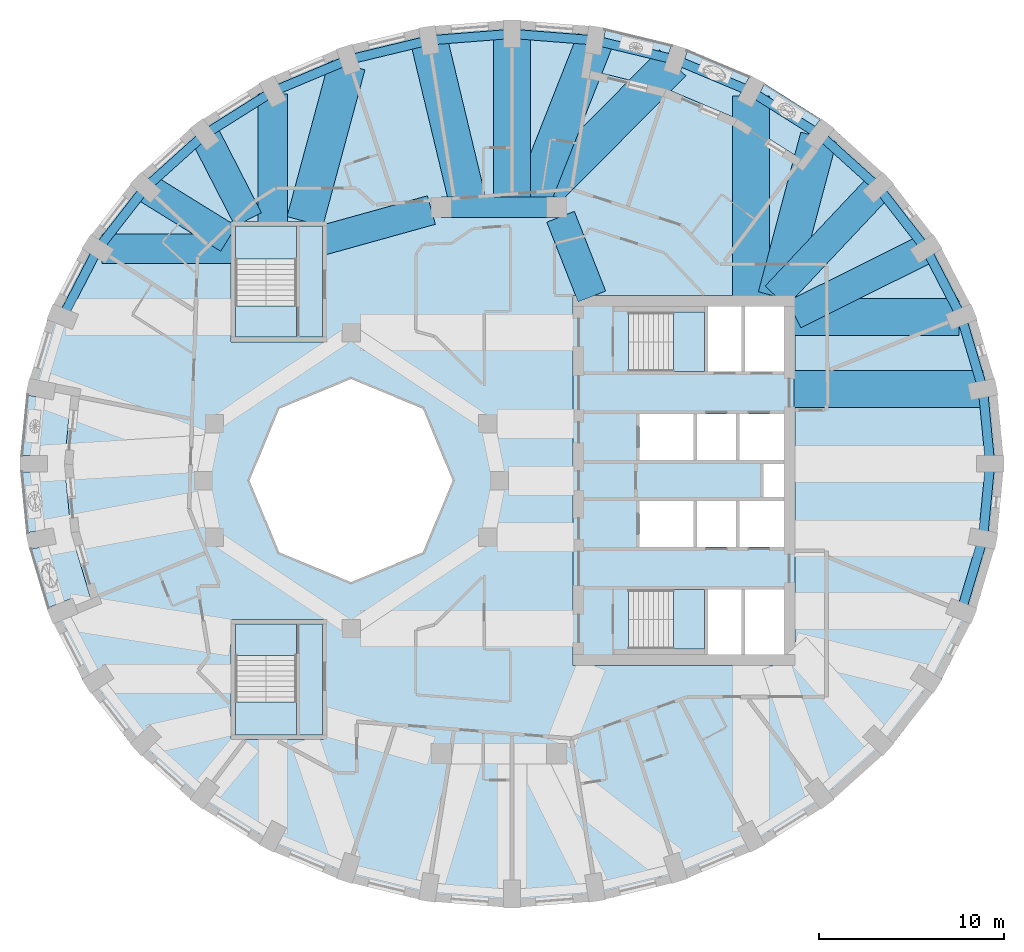
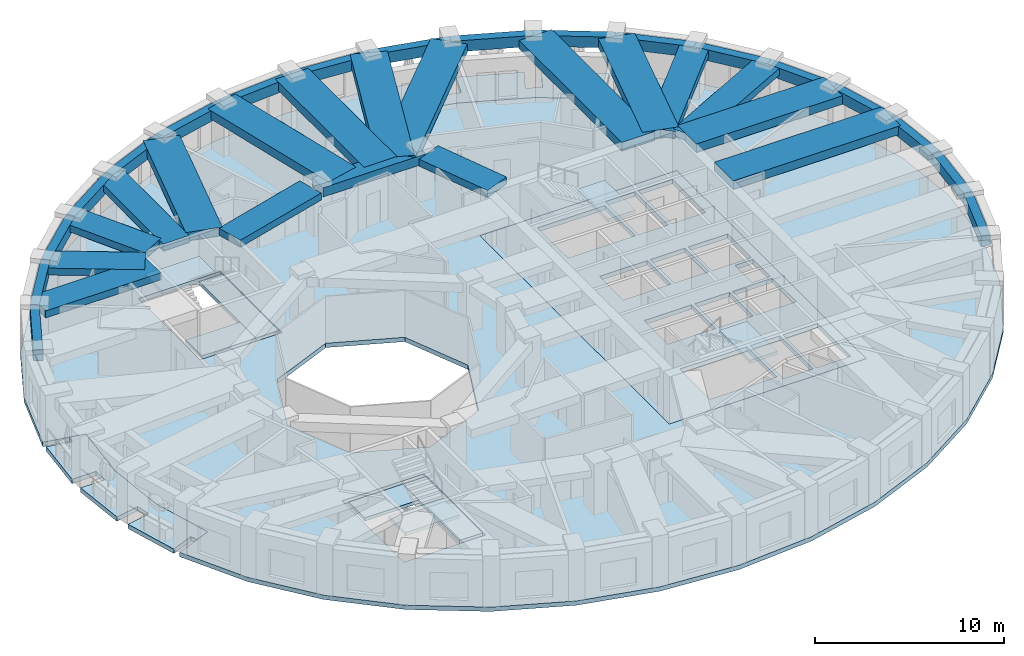
# One storey, part 2 of 12: 36 beams, 12 slabs, 4 elements without a shape of their own.
"""IFC4 building model written with IfcOpenShell, lengths in metres."""

from ifc_helpers import new_model, si_unit, direction, frame, origin, origin_2d, place, context, subcontext, project, spatial, polyline, rectangle, outline, extrude, material, layer, layer_set, material_profile, profile_set, type_object, element, aggregate, save


model = new_model("IFC4")

# Units and contexts
model_context = context("Model", 3, precision=1e-05, world=origin(), true_north=direction((0.0, 1.0)))
body_context = subcontext(model_context, "Body", "Model", "MODEL_VIEW")
ifc_project = project(units=[si_unit("LENGTHUNIT", "METRE"), si_unit("AREAUNIT", "SQUARE_METRE"), si_unit("VOLUMEUNIT", "CUBIC_METRE"), si_unit("PLANEANGLEUNIT", "RADIAN"), si_unit("MASSUNIT", "GRAM", prefix="KILO")], contexts=[model_context])

# Site, building, storey
site_placement = place(None, origin())
site = spatial("IfcSite", under=ifc_project, at=site_placement, CompositionType="ELEMENT")
building_placement = place(site_placement, origin())
building = spatial("IfcBuilding", under=site, at=building_placement, Name="Taillehof Tower", CompositionType="ELEMENT")
storey_placement = place(building_placement, frame((0.0, 0.0, 192.5)))
storey = spatial("IfcBuildingStorey", under=building, at=storey_placement, Name="L54", CompositionType="ELEMENT", Elevation=192.5)

# Beams
ifc_material_1 = material(Name="Concrete C50/60", Category="concrete")
ifc_material_profile_1 = material_profile(ifc_material_1, rectangle(XDim=1.10009765625, YDim=0.60009765625, at=origin_2d()), Name="RC 1100x600")
ifc_profile_set_1 = profile_set([ifc_material_profile_1], Name="Concrete C50/60")
beam_type_1 = type_object("IfcBeamType", Name="Mid-ring beam C50/60 1100x600", PredefinedType="BEAM", material=ifc_profile_set_1)
beam_1_placement = place(storey_placement, frame((3.125732421875, 14.772216796875, 2.719970703125), z_axis=(-1.0, 0.0, 0.0), x_axis=(0.0, -1.0, 0.0)))
element("IfcBeam", 1, at=beam_1_placement, inside=storey, type_object=beam_type_1, Name="Mid-ring beam MB01", PredefinedType="BEAM", context=body_context, shape_type="SweptSolid", body=[
    extrude(rectangle(XDim=1.10009765625, YDim=0.60009765625, at=origin_2d()), origin(), (0.0, 0.0, 1.0), 6.25146484375),
])
ifc_material_2 = material(Name="Concrete C50/60", Category="concrete")
ifc_material_profile_2 = material_profile(ifc_material_2, rectangle(XDim=1.60009765625, YDim=0.449951171875, at=origin_2d()), Name="RC 1600x450")
ifc_profile_set_2 = profile_set([ifc_material_profile_2], Name="Concrete C50/60")
beam_type_2 = type_object("IfcBeamType", Name="Radial band beam C50/60 1600x450", PredefinedType="BEAM", material=ifc_profile_set_2)
beam_2_placement = place(storey_placement, frame((23.086669921875, 12.52490234375, 2.794921875), z_axis=(-0.895357082848, -0.445348957778, 0.0), x_axis=(0.445348957778, -0.895357082848, 0.0)))
element("IfcBeam", 2, at=beam_2_placement, inside=storey, type_object=beam_type_2, Name="Radial band beam RB04", PredefinedType="BEAM", context=body_context, shape_type="SweptSolid", body=[
    extrude(rectangle(XDim=1.60009765625, YDim=0.449951171875, at=origin_2d()), origin(), (0.0, 0.0, 1.0), 7.96484375),
])
beam_3_placement = place(storey_placement, frame((20.502197265625, 15.8447265625, 2.794921875), z_axis=(-0.685451470964, -0.728118315217, 0.0), x_axis=(0.728118315217, -0.685451470964, 0.0)))
element("IfcBeam", 3, at=beam_3_placement, inside=storey, type_object=beam_type_2, Name="Radial band beam RB05", PredefinedType="BEAM", context=body_context, shape_type="SweptSolid", body=[
    extrude(rectangle(XDim=1.60009765625, YDim=0.449951171875, at=origin_2d()), origin(), (0.0, 0.0, 1.0), 8.07373046875),
])
beam_4_placement = place(storey_placement, frame((-12.22509765625, 20.9013671875, 2.794921875), z_axis=(0.0, -1.0, 0.0), x_axis=(1.0, 0.0, 0.0)))
element("IfcBeam", 4, at=beam_4_placement, inside=storey, type_object=beam_type_2, Name="Radial band beam RB13", PredefinedType="BEAM", context=body_context, shape_type="SweptSolid", body=[
    extrude(rectangle(XDim=1.60009765625, YDim=0.449951171875, at=origin_2d()), origin(), (0.0, 0.0, 1.0), 6.951416015625),
])
beam_5_placement = place(storey_placement, frame((-15.916015625, 18.71044921875, 2.794921875), z_axis=(0.456360793517, -0.889794822496, 0.0), x_axis=(0.889794822496, 0.456360793517, 0.0)))
element("IfcBeam", 5, at=beam_5_placement, inside=storey, type_object=beam_type_2, Name="Radial band beam RB14", PredefinedType="BEAM", context=body_context, shape_type="SweptSolid", body=[
    extrude(rectangle(XDim=1.60009765625, YDim=0.449951171875, at=origin_2d()), origin(), (0.0, 0.0, 1.0), 5.16455078125),
])
beam_6_placement = place(storey_placement, frame((-19.102294921875, 15.8447265625, 2.794921875), z_axis=(0.850616081395, -0.525787297366, 0.0), x_axis=(0.525787297366, 0.850616081395, 0.0)))
element("IfcBeam", 6, at=beam_6_placement, inside=storey, type_object=beam_type_2, Name="Radial band beam RB15", PredefinedType="BEAM", context=body_context, shape_type="SweptSolid", body=[
    extrude(rectangle(XDim=1.60009765625, YDim=0.449951171875, at=origin_2d()), origin(), (0.0, 0.0, 1.0), 5.260498046875),
])
beam_7_placement = place(storey_placement, frame((-21.47021484375, 12.52490234375, 2.794921875), z_axis=(1.0, 0.0, 0.0), x_axis=(0.0, 1.0, 0.0)))
element("IfcBeam", 7, at=beam_7_placement, inside=storey, type_object=beam_type_2, Name="Radial band beam RB16", PredefinedType="BEAM", context=body_context, shape_type="SweptSolid", body=[
    extrude(rectangle(XDim=1.60009765625, YDim=0.449951171875, at=origin_2d()), origin(), (0.0, 0.0, 1.0), 7.020263671875),
])
beam_8_placement = place(storey_placement, frame((3.32666015625, 14.26025390625, 2.794921875), z_axis=(0.365588707223, -0.930776502255, 0.0), x_axis=(0.930776502255, 0.365588707223, 0.0)))
element("IfcBeam", 8, at=beam_8_placement, inside=storey, type_object=beam_type_2, Name="Inner band beam IB205", PredefinedType="BEAM", context=body_context, shape_type="SweptSolid", body=[
    extrude(rectangle(XDim=1.60009765625, YDim=0.449951171875, at=origin_2d()), origin(), (0.0, 0.0, 1.0), 4.627197265625),
])
beam_9_placement = place(storey_placement, frame((-3.655517578125, 14.624755859375, 2.794921875), z_axis=(-0.963459369536, -0.267854518821, 0.0), x_axis=(0.267854518821, -0.963459369536, 0.0)))
element("IfcBeam", 9, at=beam_9_placement, inside=storey, type_object=beam_type_2, Name="Inner band beam IB206", PredefinedType="BEAM", context=body_context, shape_type="SweptSolid", body=[
    extrude(rectangle(XDim=1.60009765625, YDim=0.449951171875, at=origin_2d()), origin(), (0.0, 0.0, 1.0), 6.096923828125),
])
ifc_material_3 = material(Name="Concrete C50/60", Category="concrete")
ifc_material_profile_3 = material_profile(ifc_material_3, rectangle(XDim=2.0, YDim=0.550048828125, at=origin_2d()), Name="RC 2000x550")
ifc_profile_set_3 = profile_set([ifc_material_profile_3], Name="Concrete C50/60")
beam_type_3 = type_object("IfcBeamType", Name="Radial band beam C50/60 2000x550", PredefinedType="BEAM", material=ifc_profile_set_3)
beam_10_placement = place(storey_placement, frame((26.1572265625, 4.937255859375, 2.7451171875), z_axis=(-1.0, 0.0, 0.0), x_axis=(0.0, -1.0, 0.0)))
element("IfcBeam", 10, at=beam_10_placement, inside=storey, type_object=beam_type_3, Name="Radial band beam RB02", PredefinedType="BEAM", context=body_context, shape_type="SweptSolid", body=[
    extrude(rectangle(XDim=2.0, YDim=0.550048828125, at=origin_2d()), origin(), (0.0, 0.0, 1.0), 10.207275390625),
])
beam_11_placement = place(storey_placement, frame((24.856201171875, 8.85205078125, 2.7451171875), z_axis=(-1.0, 0.0, 0.0), x_axis=(0.0, -1.0, 0.0)))
element("IfcBeam", 11, at=beam_11_placement, inside=storey, type_object=beam_type_3, Name="Radial band beam RB03", PredefinedType="BEAM", context=body_context, shape_type="SweptSolid", body=[
    extrude(rectangle(XDim=2.0, YDim=0.550048828125, at=origin_2d()), origin(), (0.0, 0.0, 1.0), 8.90625),
])
beam_12_placement = place(storey_placement, frame((17.28076171875, 18.577880859375, 2.7451171875), z_axis=(-0.256969711091, -0.966419457369, 0.0), x_axis=(0.966419457369, -0.256969711091, 0.0)))
element("IfcBeam", 12, at=beam_12_placement, inside=storey, type_object=beam_type_3, Name="Radial band beam RB06", PredefinedType="BEAM", context=body_context, shape_type="SweptSolid", body=[
    extrude(rectangle(XDim=2.0, YDim=0.550048828125, at=origin_2d()), origin(), (0.0, 0.0, 1.0), 8.926025390625),
])
beam_13_placement = place(storey_placement, frame((13.625, 20.797607421875, 2.7451171875), z_axis=(0.0, -1.0, 0.0), x_axis=(1.0, 0.0, 0.0)))
element("IfcBeam", 13, at=beam_13_placement, inside=storey, type_object=beam_type_3, Name="Radial band beam RB07", PredefinedType="BEAM", context=body_context, shape_type="SweptSolid", body=[
    extrude(rectangle(XDim=2.0, YDim=0.550048828125, at=origin_2d()), origin(), (0.0, 0.0, 1.0), 10.84765625),
])
beam_14_placement = place(storey_placement, frame((9.384765625, 22.590087890625, 2.7451171875), z_axis=(-0.704433609475, -0.709769885133, 0.0), x_axis=(0.709769885133, -0.704433609475, 0.0)))
element("IfcBeam", 14, at=beam_14_placement, inside=storey, type_object=beam_type_3, Name="Radial band beam RB08", PredefinedType="BEAM", context=body_context, shape_type="SweptSolid", body=[
    extrude(rectangle(XDim=2.0, YDim=0.550048828125, at=origin_2d()), origin(), (0.0, 0.0, 1.0), 10.79736328125),
])
beam_15_placement = place(storey_placement, frame((5.188720703125, 23.796875, 2.7451171875), z_axis=(-0.367222105753, -0.930133283485, 0.0), x_axis=(0.930133283485, -0.367222105753, 0.0)))
element("IfcBeam", 15, at=beam_15_placement, inside=storey, type_object=beam_type_3, Name="Radial band beam RB09", PredefinedType="BEAM", context=body_context, shape_type="SweptSolid", body=[
    extrude(rectangle(XDim=2.0, YDim=0.550048828125, at=origin_2d()), origin(), (0.0, 0.0, 1.0), 9.70263671875),
])
beam_16_placement = place(storey_placement, frame((0.699951171875, 24.14990234375, 2.7451171875), z_axis=(0.0, -1.0, 0.0), x_axis=(1.0, 0.0, 0.0)))
element("IfcBeam", 16, at=beam_16_placement, inside=storey, type_object=beam_type_3, Name="Radial band beam RB10", PredefinedType="BEAM", context=body_context, shape_type="SweptSolid", body=[
    extrude(rectangle(XDim=2.0, YDim=0.550048828125, at=origin_2d()), origin(), (0.0, 0.0, 1.0), 9.377685546875),
])
beam_17_placement = place(storey_placement, frame((-3.788818359375, 23.796875, 2.7451171875), z_axis=(0.233084395558, -0.972456510363, 0.0), x_axis=(0.972456510363, 0.233084395558, 0.0)))
element("IfcBeam", 17, at=beam_17_placement, inside=storey, type_object=beam_type_3, Name="Radial band beam RB11", PredefinedType="BEAM", context=body_context, shape_type="SweptSolid", body=[
    extrude(rectangle(XDim=2.0, YDim=0.550048828125, at=origin_2d()), origin(), (0.0, 0.0, 1.0), 9.2802734375),
])
beam_18_placement = place(storey_placement, frame((-8.2177734375, 22.464111328125, 2.7451171875), z_axis=(-0.260346436551, -0.965515268121, 0.0), x_axis=(0.965515268121, -0.260346436551, 0.0)))
element("IfcBeam", 18, at=beam_18_placement, inside=storey, type_object=beam_type_3, Name="Radial band beam RB12", PredefinedType="BEAM", context=body_context, shape_type="SweptSolid", body=[
    extrude(rectangle(XDim=2.0, YDim=0.550048828125, at=origin_2d()), origin(), (0.0, 0.0, 1.0), 8.755859375),
])
ifc_material_4 = material(Name="Concrete C50/60", Category="concrete")
ifc_material_profile_4 = material_profile(ifc_material_4, rectangle(XDim=0.5, YDim=0.699951171875, at=origin_2d()), Name="RC 500x700")
ifc_profile_set_4 = profile_set([ifc_material_profile_4], Name="Concrete C50/60")
beam_type_4 = type_object("IfcBeamType", Name="Spandrel beam C50/60 500x700", PredefinedType="SPANDREL", material=ifc_profile_set_4)
beam_19_placement = place(storey_placement, frame((26.550048828125, 0.89990234375, 2.669921875), z_axis=(-0.096839674059, 0.995299993735, 0.0), x_axis=(-0.995299993735, -0.096839674059, 0.0)))
element("IfcBeam", 19, at=beam_19_placement, inside=storey, type_object=beam_type_4, Name="Spandrel beam SB01", PredefinedType="SPANDREL", context=body_context, shape_type="SweptSolid", body=[
    extrude(rectangle(XDim=0.5, YDim=0.699951171875, at=origin_2d()), origin(), (0.0, 0.0, 1.0), 4.056396484375),
])
beam_20_placement = place(storey_placement, frame((26.1572265625, 4.937255859375, 2.669921875), z_axis=(-0.285510458946, 0.9583755933, 0.0), x_axis=(-0.9583755933, -0.285510458946, 0.0)))
element("IfcBeam", 20, at=beam_20_placement, inside=storey, type_object=beam_type_4, Name="Spandrel beam SB02", PredefinedType="SPANDREL", context=body_context, shape_type="SweptSolid", body=[
    extrude(rectangle(XDim=0.5, YDim=0.699951171875, at=origin_2d()), origin(), (0.0, 0.0, 1.0), 4.084716796875),
])
beam_21_placement = place(storey_placement, frame((24.990966796875, 8.85205078125, 2.669921875), z_axis=(-0.460289604274, 0.887768821371, 0.0), x_axis=(-0.887768821371, -0.460289604274, 0.0)))
element("IfcBeam", 21, at=beam_21_placement, inside=storey, type_object=beam_type_4, Name="Spandrel beam SB03", PredefinedType="SPANDREL", context=body_context, shape_type="SweptSolid", body=[
    extrude(rectangle(XDim=0.5, YDim=0.699951171875, at=origin_2d()), origin(), (0.0, 0.0, 1.0), 4.13720703125),
])
beam_22_placement = place(storey_placement, frame((23.086669921875, 12.52490234375, 2.669921875), z_axis=(-0.614294081938, 0.789077170432, 0.0), x_axis=(-0.789077170432, -0.614294081938, 0.0)))
element("IfcBeam", 22, at=beam_22_placement, inside=storey, type_object=beam_type_4, Name="Spandrel beam SB04", PredefinedType="SPANDREL", context=body_context, shape_type="SweptSolid", body=[
    extrude(rectangle(XDim=0.5, YDim=0.699951171875, at=origin_2d()), origin(), (0.0, 0.0, 1.0), 4.207275390625),
])
beam_23_placement = place(storey_placement, frame((20.502197265625, 15.8447265625, 2.669921875), z_axis=(-0.743492416006, 0.668744366213, 0.0), x_axis=(-0.668744366213, -0.743492416006, 0.0)))
element("IfcBeam", 23, at=beam_23_placement, inside=storey, type_object=beam_type_4, Name="Spandrel beam SB05", PredefinedType="SPANDREL", context=body_context, shape_type="SweptSolid", body=[
    extrude(rectangle(XDim=0.5, YDim=0.699951171875, at=origin_2d()), origin(), (0.0, 0.0, 1.0), 4.28515625),
])
beam_24_placement = place(storey_placement, frame((17.316162109375, 18.71044921875, 2.669921875), z_axis=(-0.846166475687, 0.532918657417, 0.0), x_axis=(-0.532918657417, -0.846166475687, 0.0)))
element("IfcBeam", 24, at=beam_24_placement, inside=storey, type_object=beam_type_4, Name="Spandrel beam SB06", PredefinedType="SPANDREL", context=body_context, shape_type="SweptSolid", body=[
    extrude(rectangle(XDim=0.5, YDim=0.699951171875, at=origin_2d()), origin(), (0.0, 0.0, 1.0), 4.3623046875),
])
beam_25_placement = place(storey_placement, frame((13.625, 21.03515625, 2.669921875), z_axis=(-0.92218550199, 0.386747850569, 0.0), x_axis=(-0.386747850569, -0.92218550199, 0.0)))
element("IfcBeam", 25, at=beam_25_placement, inside=storey, type_object=beam_type_4, Name="Spandrel beam SB07", PredefinedType="SPANDREL", context=body_context, shape_type="SweptSolid", body=[
    extrude(rectangle(XDim=0.5, YDim=0.699951171875, at=origin_2d()), origin(), (0.0, 0.0, 1.0), 4.42822265625),
])
beam_26_placement = place(storey_placement, frame((9.541259765625, 22.747802734375, 2.669921875), z_axis=(-0.972160640613, 0.234315361943, 0.0), x_axis=(-0.234315361943, -0.972160640613, 0.0)))
element("IfcBeam", 26, at=beam_26_placement, inside=storey, type_object=beam_type_4, Name="Spandrel beam SB08", PredefinedType="SPANDREL", context=body_context, shape_type="SweptSolid", body=[
    extrude(rectangle(XDim=0.5, YDim=0.699951171875, at=origin_2d()), origin(), (0.0, 0.0, 1.0), 4.477294921875),
])
for number, where, z_axis, x_axis, name in (
    (27, (5.188720703125, 23.796875, 2.669921875), (-0.996921613963, 0.078404691275, 0.0), (-0.078404691275, -0.996921613963, 0.0), "Spandrel beam SB09"),
    (28, (0.699951171875, 24.14990234375, 2.669921875), (-0.996921613963, -0.078404691275, 0.0), (0.078404691275, -0.996921613963, 0.0), "Spandrel beam SB10"),
):
    element("IfcBeam", number, at=place(storey_placement, frame(where, z_axis=z_axis, x_axis=x_axis)), inside=storey, type_object=beam_type_4, Name=name, PredefinedType="SPANDREL", context=body_context, shape_type="SweptSolid", body=[
        extrude(rectangle(XDim=0.5, YDim=0.699951171875, at=origin_2d()), origin(), (0.0, 0.0, 1.0), 4.502685546875),
    ])
beam_27_placement = place(storey_placement, frame((-3.788818359375, 23.796875, 2.669921875), z_axis=(-0.972157646478, -0.234327784087, 0.0), x_axis=(0.234327784087, -0.972157646478, 0.0)))
element("IfcBeam", 29, at=beam_27_placement, inside=storey, type_object=beam_type_4, Name="Spandrel beam SB11", PredefinedType="SPANDREL", context=body_context, shape_type="SweptSolid", body=[
    extrude(rectangle(XDim=0.5, YDim=0.699951171875, at=origin_2d()), origin(), (0.0, 0.0, 1.0), 4.47705078125),
])
beam_28_placement = place(storey_placement, frame((-8.14111328125, 22.747802734375, 2.669921875), z_axis=(-0.922193747603, -0.386728188632, 0.0), x_axis=(0.386728188632, -0.922193747603, 0.0)))
element("IfcBeam", 30, at=beam_28_placement, inside=storey, type_object=beam_type_4, Name="Spandrel beam SB12", PredefinedType="SPANDREL", context=body_context, shape_type="SweptSolid", body=[
    extrude(rectangle(XDim=0.5, YDim=0.699951171875, at=origin_2d()), origin(), (0.0, 0.0, 1.0), 4.428466796875),
])
beam_29_placement = place(storey_placement, frame((-12.22509765625, 21.03515625, 2.669921875), z_axis=(-0.846150579775, -0.532943896059, 0.0), x_axis=(0.532943896059, -0.846150579775, 0.0)))
element("IfcBeam", 31, at=beam_29_placement, inside=storey, type_object=beam_type_4, Name="Spandrel beam SB13", PredefinedType="SPANDREL", context=body_context, shape_type="SweptSolid", body=[
    extrude(rectangle(XDim=0.5, YDim=0.699951171875, at=origin_2d()), origin(), (0.0, 0.0, 1.0), 4.362060546875),
])
beam_30_placement = place(storey_placement, frame((-15.916015625, 18.71044921875, 2.669921875), z_axis=(-0.743517893617, -0.668716039789, 0.0), x_axis=(0.668716039789, -0.743517893617, 0.0)))
element("IfcBeam", 32, at=beam_30_placement, inside=storey, type_object=beam_type_4, Name="Spandrel beam SB14", PredefinedType="SPANDREL", context=body_context, shape_type="SweptSolid", body=[
    extrude(rectangle(XDim=0.5, YDim=0.699951171875, at=origin_2d()), origin(), (0.0, 0.0, 1.0), 4.285400390625),
])
beam_31_placement = place(storey_placement, frame((-19.102294921875, 15.8447265625, 2.669921875), z_axis=(-0.614294081938, -0.789077170432, 0.0), x_axis=(0.789077170432, -0.614294081938, 0.0)))
element("IfcBeam", 33, at=beam_31_placement, inside=storey, type_object=beam_type_4, Name="Spandrel beam SB15", PredefinedType="SPANDREL", context=body_context, shape_type="SweptSolid", body=[
    extrude(rectangle(XDim=0.5, YDim=0.699951171875, at=origin_2d()), origin(), (0.0, 0.0, 1.0), 4.207275390625),
])
beam_32_placement = place(storey_placement, frame((-21.686767578125, 12.52490234375, 2.669921875), z_axis=(-0.460289604274, -0.887768821371, 0.0), x_axis=(0.887768821371, -0.460289604274, 0.0)))
element("IfcBeam", 34, at=beam_32_placement, inside=storey, type_object=beam_type_4, Name="Spandrel beam SB16", PredefinedType="SPANDREL", context=body_context, shape_type="SweptSolid", body=[
    extrude(rectangle(XDim=0.5, YDim=0.699951171875, at=origin_2d()), origin(), (0.0, 0.0, 1.0), 4.13720703125),
])
beam_33_placement = place(storey_placement, frame((24.990966796875, -7.052001953125, 2.669921875), z_axis=(0.285510458946, 0.9583755933, 0.0), x_axis=(-0.9583755933, 0.285510458946, 0.0)))
element("IfcBeam", 35, at=beam_33_placement, inside=storey, type_object=beam_type_4, Name="Spandrel beam SB35", PredefinedType="SPANDREL", context=body_context, shape_type="SweptSolid", body=[
    extrude(rectangle(XDim=0.5, YDim=0.699951171875, at=origin_2d()), origin(), (0.0, 0.0, 1.0), 4.084716796875),
])
beam_34_placement = place(storey_placement, frame((26.1572265625, -3.13720703125, 2.669921875), z_axis=(0.096845475428, 0.995299429262, 0.0), x_axis=(-0.995299429262, 0.096845475428, 0.0)))
element("IfcBeam", 36, at=beam_34_placement, inside=storey, type_object=beam_type_4, Name="Spandrel beam SB36", PredefinedType="SPANDREL", context=body_context, shape_type="SweptSolid", body=[
    extrude(rectangle(XDim=0.5, YDim=0.699951171875, at=origin_2d()), origin(), (0.0, 0.0, 1.0), 4.05615234375),
])

# Slabs
ifc_material_5 = material(Name="Concrete C40/50", Category="concrete")
ifc_layer_1 = layer(ifc_material_5, 0.280029296875)
ifc_layer_set_1 = layer_set([ifc_layer_1], Name="Balcony slab 280")
slab_type_1 = type_object("IfcSlabType", Name="Balcony slab 280", PredefinedType="USERDEFINED", material=ifc_layer_set_1)
slab_1_placement = place(storey_placement, frame((0.0, 0.0, -0.280029296875)))
element("IfcSlab", 37, at=slab_1_placement, inside=storey, type_object=slab_type_1, Name="Balcony L54 pocket 1", ObjectType="BALCONY", PredefinedType="USERDEFINED", context=body_context, shape_type="SweptSolid", body=[
    extrude(outline(polyline([(4.94189453125, 22.165283203125), (5.08349609375, 23.05419921875), (5.515380859375, 22.9853515625), (5.74560546875, 24.432373046875), (9.335693359375, 23.564208984375), (8.879638671875, 22.17578125), (9.73486328125, 21.894775390625), (10.19189453125, 23.286865234375), (13.5537109375, 21.872314453125), (12.87939453125, 20.577880859375), (13.677490234375, 20.162109375), (14.354248046875, 21.4609375), (17.384521484375, 19.54638671875), (16.504638671875, 18.38427734375), (16.893310546875, 18.08984375), (16.349609375, 17.37158203125), (12.89111328125, 19.55615234375), (9.048828125, 21.17236328125), (4.94189453125, 22.165283203125)])), origin(), (0.0, 0.0, 1.0), 0.280029296875),
])
slab_2_placement = place(storey_placement, frame((0.0, 0.0, -0.280029296875)))
element("IfcSlab", 38, at=slab_2_placement, inside=storey, type_object=slab_type_1, Name="Balcony L54 pocket 5", ObjectType="BALCONY", PredefinedType="USERDEFINED", context=body_context, shape_type="SweptSolid", body=[
    extrude(outline(polyline([(-22.070068359375, -6.41064453125), (-22.9052734375, -6.74755859375), (-23.06396484375, -6.35400390625), (-24.417236328125, -6.89990234375), (-25.36328125, -3.71435546875), (-23.934814453125, -3.43505859375), (-24.107421875, -2.5517578125), (-25.5380859375, -2.831298828125), (-25.8564453125, 0.449951171875), (-24.39990234375, 0.449951171875), (-24.39990234375, 1.35009765625), (-25.8564453125, 1.35009765625), (-25.5380859375, 4.63134765625), (-24.107421875, 4.351806640625), (-24.02392578125, 4.77978515625), (-23.140380859375, 4.607177734375), (-23.5, 0.89990234375), (-23.140380859375, -2.80712890625), (-22.070068359375, -6.41064453125)])), origin(), (0.0, 0.0, 1.0), 0.280029296875),
])
ifc_material_6 = material(Name="Concrete C40/50", Category="concrete")
ifc_layer_2 = layer(ifc_material_6, 0.280029296875)
ifc_layer_set_2 = layer_set([ifc_layer_2], Name="Core floor slab C40/50 280")
slab_type_2 = type_object("IfcSlabType", Name="Core floor slab C40/50 280", PredefinedType="FLOOR", material=ifc_layer_set_2)
slab_3_placement = place(storey_placement, frame((0.0, 0.0, -0.280029296875)))
element("IfcSlab", 39, at=slab_3_placement, inside=storey, type_object=slab_type_2, Name="Core floor L54", PredefinedType="FLOOR", context=body_context, shape_type="SweptSolid", body=[
    extrude(outline(polyline([(4.0, -10.0), (4.0, 10.0), (16.0, 10.0), (16.0, -10.0), (4.0, -10.0)]), holes=[polyline([(11.10009765625, -9.10009765625), (11.10009765625, -5.89990234375), (7.00048828125, -5.89990234375), (7.00048828125, -9.10009765625), (11.10009765625, -9.10009765625)]), polyline([(10.5, -3.60009765625), (10.5, -1.10009765625), (7.60009765625, -1.10009765625), (7.60009765625, -3.60009765625), (10.5, -3.60009765625)]), polyline([(12.800048828125, -3.60009765625), (12.800048828125, -1.10009765625), (10.699951171875, -1.10009765625), (10.699951171875, -3.60009765625), (12.800048828125, -3.60009765625)]), polyline([(10.5, 3.60009765625), (7.60009765625, 3.60009765625), (7.60009765625, 1.10009765625), (10.5, 1.10009765625), (10.5, 3.60009765625)]), polyline([(12.800048828125, 1.10009765625), (12.800048828125, 3.60009765625), (10.699951171875, 3.60009765625), (10.699951171875, 1.10009765625), (12.800048828125, 1.10009765625)]), polyline([(11.10009765625, 5.89990234375), (11.10009765625, 9.10009765625), (7.00048828125, 9.10009765625), (7.00048828125, 5.89990234375), (11.10009765625, 5.89990234375)]), polyline([(13.10009765625, 9.39990234375), (11.300048828125, 9.39990234375), (11.300048828125, 5.89990234375), (13.10009765625, 5.89990234375), (13.10009765625, 9.39990234375)]), polyline([(13.10009765625, -9.39990234375), (13.10009765625, -5.89990234375), (11.300048828125, -5.89990234375), (11.300048828125, -9.39990234375), (13.10009765625, -9.39990234375)]), polyline([(15.39990234375, -9.39990234375), (15.39990234375, -5.89990234375), (13.300048828125, -5.89990234375), (13.300048828125, -9.39990234375), (15.39990234375, -9.39990234375)]), polyline([(15.39990234375, -3.60009765625), (15.39990234375, -1.10009765625), (13.0, -1.10009765625), (13.0, -3.60009765625), (15.39990234375, -3.60009765625)]), polyline([(15.39990234375, -0.89990234375), (15.39990234375, 0.89990234375), (14.300048828125, 0.89990234375), (14.300048828125, -0.89990234375), (15.39990234375, -0.89990234375)]), polyline([(15.39990234375, 1.10009765625), (15.39990234375, 3.60009765625), (13.0, 3.60009765625), (13.0, 1.10009765625), (15.39990234375, 1.10009765625)]), polyline([(15.39990234375, 5.89990234375), (15.39990234375, 9.39990234375), (13.300048828125, 9.39990234375), (13.300048828125, 5.89990234375), (15.39990234375, 5.89990234375)])]), origin(), (0.0, 0.0, 1.0), 0.280029296875),
])
ifc_material_7 = material(Name="Concrete C40/50", Category="concrete")
ifc_layer_3 = layer(ifc_material_7, 0.280029296875)
ifc_layer_set_3 = layer_set([ifc_layer_3], Name="Floor slab 280")
slab_type_3 = type_object("IfcSlabType", Name="Floor slab 280", PredefinedType="FLOOR", material=ifc_layer_set_3)
slab_4_placement = place(storey_placement, frame((0.0, 0.0, -0.280029296875)))
element("IfcSlab", 40, at=slab_4_placement, inside=storey, type_object=slab_type_3, Name="Floor slab L54", PredefinedType="FLOOR", context=body_context, shape_type="SweptSolid", body=[
    extrude(outline(polyline([(27.300048828125, 0.89990234375), (26.89599609375, 5.067626953125), (25.69580078125, 9.1083984375), (23.736328125, 12.89990234375), (21.076904296875, 16.326904296875), (17.798095703125, 19.28515625), (16.349609375, 17.37158203125), (12.89111328125, 19.55615234375), (9.048828125, 21.17236328125), (4.94189453125, 22.165283203125), (5.319091796875, 24.535400390625), (0.699951171875, 24.89990234375), (-3.9189453125, 24.535400390625), (-8.397705078125, 23.45263671875), (-12.60009765625, 21.6845703125), (-16.398193359375, 19.28515625), (-19.6767578125, 16.326904296875), (-22.336181640625, 12.89990234375), (-24.2958984375, 9.1083984375), (-25.495849609375, 5.067626953125), (-23.140380859375, 4.607177734375), (-23.5, 0.89990234375), (-23.140380859375, -2.80712890625), (-22.070068359375, -6.41064453125), (-24.2958984375, -7.30859375), (-22.336181640625, -11.10009765625), (-19.6767578125, -14.52685546875), (-16.398193359375, -17.485107421875), (-12.60009765625, -19.884521484375), (-8.397705078125, -21.652587890625), (-3.9189453125, -22.7353515625), (0.699951171875, -23.10009765625), (5.319091796875, -22.7353515625), (9.797607421875, -21.652587890625), (14.0, -19.884521484375), (17.798095703125, -17.485107421875), (21.076904296875, -14.52685546875), (23.736328125, -11.10009765625), (25.69580078125, -7.30859375), (26.89599609375, -3.267578125), (27.300048828125, 0.89990234375)]), holes=[polyline([(-14.5, -7.5), (-9.5, -7.5), (-9.5, -14.0), (-14.5, -14.0), (-14.5, -7.5)]), polyline([(-8.0, -5.5), (-11.88916015625, -3.88916015625), (-13.5, 0.0), (-11.88916015625, 3.88916015625), (-8.0, 5.5), (-4.11083984375, 3.88916015625), (-2.5, 0.0), (-4.11083984375, -3.88916015625), (-8.0, -5.5)]), polyline([(16.0, 10.0), (16.0, -10.0), (4.0, -10.0), (4.0, 10.0), (16.0, 10.0)]), polyline([(-14.5, 14.0), (-9.5, 14.0), (-9.5, 7.5), (-14.5, 7.5), (-14.5, 14.0)])]), origin(), (0.0, 0.0, 1.0), 0.280029296875),
])

# Stair, slab
ifc_material_8 = material(Name="Concrete C40/50", Category="concrete")
stair_type = type_object("IfcStairType", Name="Exit stair half-turn", PredefinedType="HALF_TURN_STAIR", material=ifc_material_8)
stair_1_placement = place(storey_placement, origin())
stair_1 = element("IfcStair", 41, at=stair_1_placement, inside=storey, type_object=stair_type, Name="Exit stair S1", PredefinedType="HALF_TURN_STAIR")
ifc_material_9 = material(Name="Concrete C40/50", Category="concrete")
ifc_layer_4 = layer(ifc_material_9, 0.2099609375)
ifc_layer_set_4 = layer_set([ifc_layer_4], Name="Stair landing C40/50 210")
slab_type_4 = type_object("IfcSlabType", Name="Stair landing C40/50 210", PredefinedType="LANDING", material=ifc_layer_set_4)
slab_5_placement = place(storey_placement, frame((0.0, 0.0, 1.43994140625)))
slab_5 = element("IfcSlab", 42, at=slab_5_placement, type_object=slab_type_4, Name="S1 landing 1", PredefinedType="LANDING", context=body_context, shape_type="SweptSolid", body=[
    extrude(outline(polyline([(9.429931640625, 5.89990234375), (11.10009765625, 5.89990234375), (11.10009765625, 9.10009765625), (9.429931640625, 9.10009765625), (9.429931640625, 5.89990234375)])), origin(), (0.0, 0.0, 1.0), 0.2099609375),
])
aggregate(stair_1, [slab_5])

stair_2_placement = place(storey_placement, origin())
stair_2 = element("IfcStair", 43, at=stair_2_placement, inside=storey, type_object=stair_type, Name="Exit stair S2", PredefinedType="HALF_TURN_STAIR")
slab_6_placement = place(storey_placement, frame((0.0, 0.0, 1.43994140625)))
slab_6 = element("IfcSlab", 44, at=slab_6_placement, type_object=slab_type_4, Name="S2 landing 1", PredefinedType="LANDING", context=body_context, shape_type="SweptSolid", body=[
    extrude(outline(polyline([(9.429931640625, -5.89990234375), (11.10009765625, -5.89990234375), (11.10009765625, -9.10009765625), (9.429931640625, -9.10009765625), (9.429931640625, -5.89990234375)])), origin(), (0.0, 0.0, 1.0), 0.2099609375),
])
aggregate(stair_2, [slab_6])

stair_3_placement = place(storey_placement, origin())
stair_3 = element("IfcStair", 45, at=stair_3_placement, inside=storey, type_object=stair_type, Name="Exit stair S3", PredefinedType="HALF_TURN_STAIR")
slab_7_placement = place(storey_placement, frame((0.0, 0.0, 1.43994140625)))
slab_7 = element("IfcSlab", 46, at=slab_7_placement, type_object=slab_type_4, Name="S3 landing 1", PredefinedType="LANDING", context=body_context, shape_type="SweptSolid", body=[
    extrude(outline(polyline([(-14.25, 11.969970703125), (-14.25, 13.75), (-10.949951171875, 13.75), (-10.949951171875, 11.969970703125), (-14.25, 11.969970703125)])), origin(), (0.0, 0.0, 1.0), 0.2099609375),
])
aggregate(stair_3, [slab_7])

stair_4_placement = place(storey_placement, origin())
stair_4 = element("IfcStair", 47, at=stair_4_placement, inside=storey, type_object=stair_type, Name="Exit stair S4", PredefinedType="HALF_TURN_STAIR")
slab_8_placement = place(storey_placement, frame((0.0, 0.0, 1.43994140625)))
slab_8 = element("IfcSlab", 48, at=slab_8_placement, type_object=slab_type_4, Name="S4 landing 1", PredefinedType="LANDING", context=body_context, shape_type="SweptSolid", body=[
    extrude(outline(polyline([(-14.25, -11.969970703125), (-14.25, -13.75), (-10.949951171875, -13.75), (-10.949951171875, -11.969970703125), (-14.25, -11.969970703125)])), origin(), (0.0, 0.0, 1.0), 0.2099609375),
])
aggregate(stair_4, [slab_8])

# Slabs
slab_9_placement = place(storey_placement, frame((0.0, 0.0, -0.2099609375)))
element("IfcSlab", 49, at=slab_9_placement, inside=storey, type_object=slab_type_4, Name="Stair S3 floor landing", PredefinedType="LANDING", context=body_context, shape_type="SweptSolid", body=[
    extrude(outline(polyline([(-14.25, 7.75), (-14.25, 9.449951171875), (-10.949951171875, 9.449951171875), (-10.949951171875, 7.75), (-14.25, 7.75)])), origin(), (0.0, 0.0, 1.0), 0.2099609375),
])
slab_10_placement = place(storey_placement, frame((0.0, 0.0, -0.2099609375)))
element("IfcSlab", 50, at=slab_10_placement, inside=storey, type_object=slab_type_4, Name="Stair lobby S3 floor", PredefinedType="LANDING", context=body_context, shape_type="SweptSolid", body=[
    extrude(outline(polyline([(-10.949951171875, 7.75), (-9.550048828125, 7.75), (-9.550048828125, 13.75), (-10.949951171875, 13.75), (-10.949951171875, 7.75)])), origin(), (0.0, 0.0, 1.0), 0.2099609375),
])
slab_11_placement = place(storey_placement, frame((0.0, 0.0, -0.2099609375)))
element("IfcSlab", 51, at=slab_11_placement, inside=storey, type_object=slab_type_4, Name="Stair S4 floor landing", PredefinedType="LANDING", context=body_context, shape_type="SweptSolid", body=[
    extrude(outline(polyline([(-14.25, -7.75), (-14.25, -9.449951171875), (-10.949951171875, -9.449951171875), (-10.949951171875, -7.75), (-14.25, -7.75)])), origin(), (0.0, 0.0, 1.0), 0.2099609375),
])
slab_12_placement = place(storey_placement, frame((0.0, 0.0, -0.2099609375)))
element("IfcSlab", 52, at=slab_12_placement, inside=storey, type_object=slab_type_4, Name="Stair lobby S4 floor", PredefinedType="LANDING", context=body_context, shape_type="SweptSolid", body=[
    extrude(outline(polyline([(-10.949951171875, -13.75), (-9.550048828125, -13.75), (-9.550048828125, -7.75), (-10.949951171875, -7.75), (-10.949951171875, -13.75)])), origin(), (0.0, 0.0, 1.0), 0.2099609375),
])

save(model, "model.ifc")
